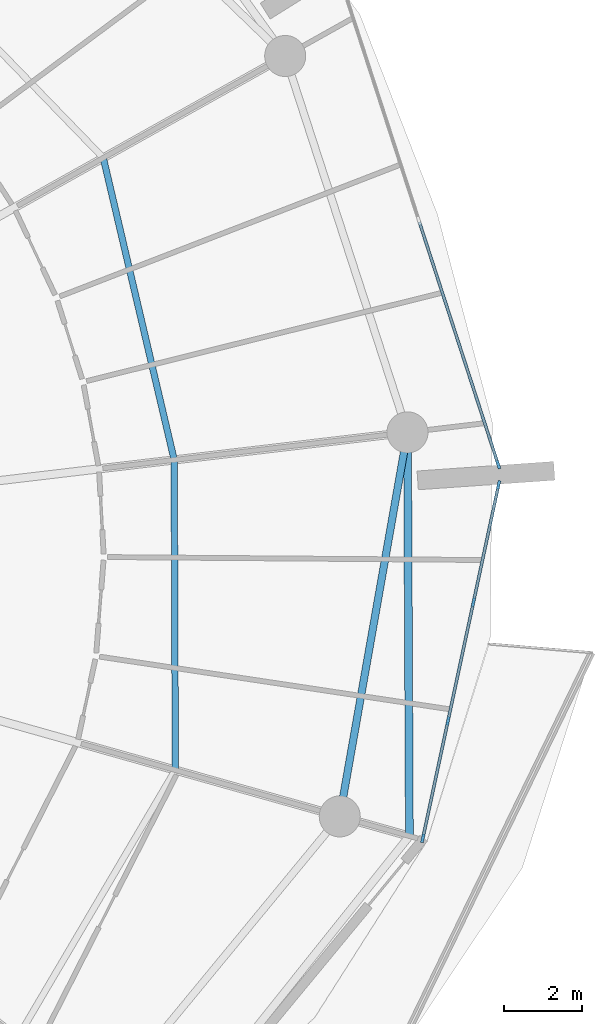
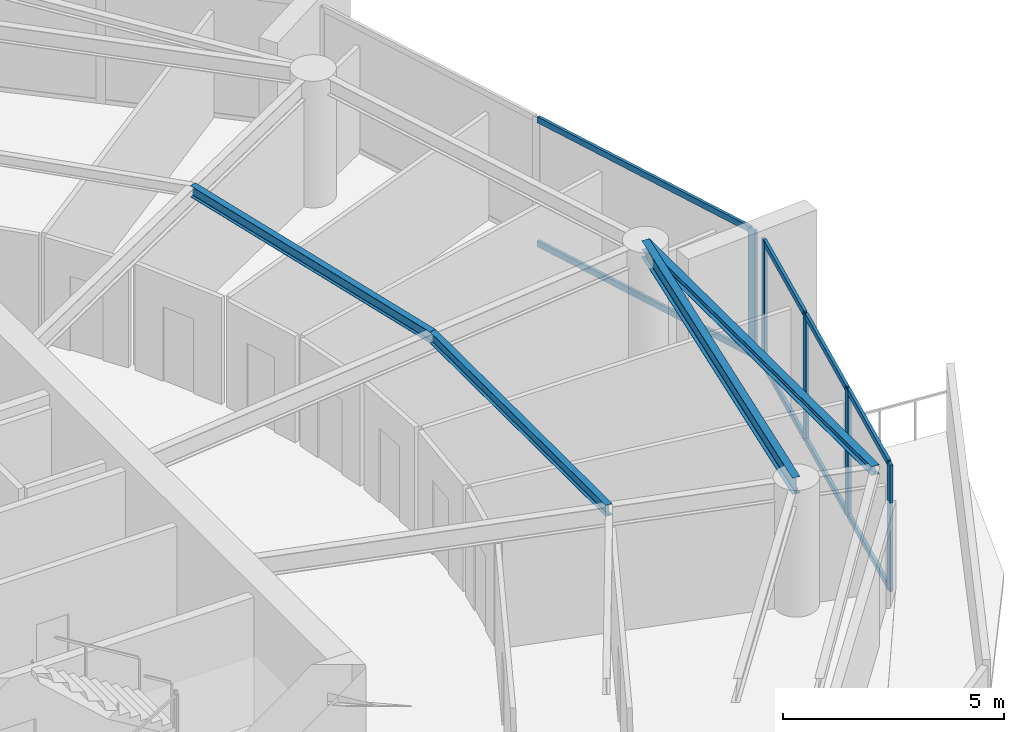
# One storey, part 7 of 20: 13 members, 4 beams, 2 elements without a shape of their own.
"""IFC4 building model written with IfcOpenShell, lengths in metres."""

from ifc_helpers import new_model, si_unit, direction, frame, origin, origin_2d, place, context, subcontext, project, spatial, rectangle, i_section, extrude, material, layer, layer_set, material_profile, profile_set, type_object, element, aggregate, save


model = new_model("IFC4")

# Units and contexts
model_context = context("Model", 3, precision=1e-05, world=origin(), true_north=direction((0.0, 1.0)))
body_context = subcontext(model_context, "Body", "Model", "MODEL_VIEW")
ifc_project = project(units=[si_unit("LENGTHUNIT", "METRE"), si_unit("AREAUNIT", "SQUARE_METRE"), si_unit("VOLUMEUNIT", "CUBIC_METRE"), si_unit("PLANEANGLEUNIT", "RADIAN"), si_unit("MASSUNIT", "GRAM", prefix="KILO")], contexts=[model_context])

# Site, building, storey
site_placement = place(None, origin())
site = spatial("IfcSite", under=ifc_project, at=site_placement, CompositionType="ELEMENT")
building_placement = place(site_placement, origin())
building = spatial("IfcBuilding", under=site, at=building_placement, Name="Kazma Halo Residences", CompositionType="ELEMENT")
storey_placement = place(building_placement, frame((0.0, 0.0, 210.300048828125)))
storey = spatial("IfcBuildingStorey", under=building, at=storey_placement, Name="L53", CompositionType="ELEMENT", Elevation=210.300048828125)

# Beams
ifc_material_1 = material(Name="Steel S355", Category="steel")
ifc_material_profile_1 = material_profile(ifc_material_1, i_section(OverallWidth=0.201904296875, OverallDepth=0.2470703125, WebThickness=0.00732421875, FlangeThickness=0.010986328125, FilletRadius=0.011962890625, at=origin_2d()), Name="W250x49.1")
ifc_profile_set_1 = profile_set([ifc_material_profile_1], Name="Steel S355")
beam_type_1 = type_object("IfcBeamType", Name="BM-BAL-CANT", PredefinedType="BEAM", material=ifc_profile_set_1)
beam_1_placement = place(storey_placement, frame((73.80029296875, 34.723388671875, 3.37646484375), z_axis=(-0.004705663334, 0.999988928305, 0.0), x_axis=(-0.999988928305, -0.004705663334, 0.0)))
element("IfcBeam", 1, at=beam_1_placement, inside=storey, type_object=beam_type_1, Name="L53 wave-balcony tie beam 15", PredefinedType="BEAM", context=body_context, shape_type="SweptSolid", body=[
    extrude(i_section(OverallWidth=0.201904296875, OverallDepth=0.2470703125, WebThickness=0.00732421875, FlangeThickness=0.010986328125, FilletRadius=0.011962890625, at=origin_2d()), origin(), (0.0, 0.0, 1.0), 10.324462890625),
])
ifc_material_profile_2 = material_profile(ifc_material_1, i_section(OverallWidth=0.1650390625, OverallDepth=0.31005859375, WebThickness=0.005859375, FlangeThickness=0.009765625, FilletRadius=0.011962890625, at=origin_2d()), Name="W310x38.7")
ifc_profile_set_2 = profile_set([ifc_material_profile_2], Name="Steel S355")
beam_type_2 = type_object("IfcBeamType", Name="BM-SEC-W310B", PredefinedType="JOIST", material=ifc_profile_set_2)
beam_2_placement = place(storey_placement, frame((67.815185546875, 36.41162109375, 3.344970703125), z_axis=(-0.003540400199, 0.999993732764, 0.0), x_axis=(-0.999993732764, -0.003540400199, 0.0)))
element("IfcBeam", 2, at=beam_2_placement, inside=storey, type_object=beam_type_2, Name="L53 circumferential floor joist 15", PredefinedType="JOIST", context=body_context, shape_type="SweptSolid", body=[
    extrude(i_section(OverallWidth=0.1650390625, OverallDepth=0.31005859375, WebThickness=0.005859375, FlangeThickness=0.009765625, FilletRadius=0.011962890625, at=origin_2d()), origin(), (0.0, 0.0, 1.0), 7.93017578125),
])
beam_3_placement = place(storey_placement, frame((67.787109375, 44.341796875, 3.344970703125), z_axis=(-0.228572787048, 0.973526826041, 0.0), x_axis=(-0.973526826041, -0.228572787048, 0.0)))
element("IfcBeam", 3, at=beam_3_placement, inside=storey, type_object=beam_type_2, Name="L53 circumferential floor joist 16", PredefinedType="JOIST", context=body_context, shape_type="SweptSolid", body=[
    extrude(i_section(OverallWidth=0.1650390625, OverallDepth=0.31005859375, WebThickness=0.005859375, FlangeThickness=0.009765625, FilletRadius=0.011962890625, at=origin_2d()), origin(), (0.0, 0.0, 1.0), 7.933837890625),
])
ifc_material_profile_3 = material_profile(ifc_material_1, i_section(OverallWidth=0.18994140625, OverallDepth=0.45703125, WebThickness=0.009033203125, FlangeThickness=0.014404296875, FilletRadius=0.01611328125, at=origin_2d()), Name="W460x74")
ifc_profile_set_3 = profile_set([ifc_material_profile_3], Name="Steel S355")
beam_type_3 = type_object("IfcBeamType", Name="BM-SPN-W460", PredefinedType="BEAM", material=ifc_profile_set_3)
beam_4_placement = place(storey_placement, frame((72.019775390625, 35.2255859375, 3.271484375), z_axis=(0.173648484202, 0.984807698962, 0.0), x_axis=(-0.984807698962, 0.173648484202, 0.0)))
element("IfcBeam", 4, at=beam_4_placement, inside=storey, type_object=beam_type_3, Name="L53 perimeter ring beam 15", PredefinedType="BEAM", context=body_context, shape_type="SweptSolid", body=[
    extrude(i_section(OverallWidth=0.18994140625, OverallDepth=0.45703125, WebThickness=0.009033203125, FlangeThickness=0.014404296875, FilletRadius=0.01611328125, at=origin_2d()), origin(), (0.0, 0.0, 1.0), 9.973876953125),
])

# Curtain wall, members
ifc_material_2 = material(Name="Aluminium AW-6063 T6 and Triple-Silver Low-E Glass", Category="aluminium")
ifc_layer = layer(ifc_material_2, 0.219970703125)
ifc_layer_set = layer_set([ifc_layer], Name="Aluminium AW-6063 T6 and Triple-Silver Low-E Glass")
curtain_wall_type = type_object("IfcCurtainWallType", Name="CW-SYS-4", PredefinedType="NOTDEFINED", material=ifc_layer_set)
curtain_wall_1_placement = place(storey_placement, origin())
curtain_wall_1 = element("IfcCurtainWall", 5, at=curtain_wall_1_placement, inside=storey, type_object=curtain_wall_type, Name="L53 unitised curtain wall B15", PredefinedType="NOTDEFINED")
ifc_material_3 = material(Name="Aluminium AW-6063 T6", Category="aluminium")
ifc_material_profile_4 = material_profile(ifc_material_3, rectangle(XDim=0.074951171875, YDim=0.219970703125, at=origin_2d()), Name="CWM-75x220")
ifc_profile_set_4 = profile_set([ifc_material_profile_4], Name="Aluminium AW-6063 T6")
member_type_1 = type_object("IfcMemberType", Name="CW-SYS-4-MUL", PredefinedType="MULLION", material=ifc_profile_set_4)
member_1_placement = place(storey_placement, frame((74.1435546875, 34.665771484375, 0.0), z_axis=(0.0, 0.0, 1.0), x_axis=(-0.977768017212, 0.209689543175, 0.0)))
member_1 = element("IfcMember", 6, at=member_1_placement, type_object=member_type_1, Name="CWS-4 mullion 1", PredefinedType="MULLION", context=body_context, shape_type="SweptSolid", body=[
    extrude(rectangle(XDim=0.074951171875, YDim=0.219970703125, at=origin_2d()), origin(), (0.0, 0.0, 1.0), 3.5),
])
member_2_placement = place(storey_placement, frame((74.787109375, 37.6669921875, 0.0), z_axis=(0.0, 0.0, 1.0), x_axis=(-0.977768017212, 0.209689543175, 0.0)))
member_2 = element("IfcMember", 7, at=member_2_placement, type_object=member_type_1, Name="CWS-4 mullion 2", PredefinedType="MULLION", context=body_context, shape_type="SweptSolid", body=[
    extrude(rectangle(XDim=0.074951171875, YDim=0.219970703125, at=origin_2d()), origin(), (0.0, 0.0, 1.0), 3.5),
])
member_3_placement = place(storey_placement, frame((75.438720703125, 40.704833984375, 0.0), z_axis=(0.0, 0.0, 1.0), x_axis=(-0.977768017212, 0.209689543175, 0.0)))
member_3 = element("IfcMember", 8, at=member_3_placement, type_object=member_type_1, Name="CWS-4 mullion 3", PredefinedType="MULLION", context=body_context, shape_type="SweptSolid", body=[
    extrude(rectangle(XDim=0.074951171875, YDim=0.219970703125, at=origin_2d()), origin(), (0.0, 0.0, 1.0), 3.5),
])
member_4_placement = place(storey_placement, frame((76.082275390625, 43.7060546875, 0.0), z_axis=(0.0, 0.0, 1.0), x_axis=(-0.977768017212, 0.209689543175, 0.0)))
member_4 = element("IfcMember", 9, at=member_4_placement, type_object=member_type_1, Name="CWS-4 mullion 4", PredefinedType="MULLION", context=body_context, shape_type="SweptSolid", body=[
    extrude(rectangle(XDim=0.074951171875, YDim=0.219970703125, at=origin_2d()), origin(), (0.0, 0.0, 1.0), 3.5),
])

# Curtain wall, member
curtain_wall_2_placement = place(storey_placement, origin())
curtain_wall_2 = element("IfcCurtainWall", 10, at=curtain_wall_2_placement, inside=storey, type_object=curtain_wall_type, Name="L53 unitised curtain wall B16", PredefinedType="NOTDEFINED")
member_5_placement = place(storey_placement, frame((76.0712890625, 44.22119140625, 0.0), z_axis=(0.0, 0.0, 1.0), x_axis=(-0.951056893636, -0.309015833038, 0.0)))
member_5 = element("IfcMember", 11, at=member_5_placement, type_object=member_type_1, Name="CWS-4 mullion 1", PredefinedType="MULLION", context=body_context, shape_type="SweptSolid", body=[
    extrude(rectangle(XDim=0.074951171875, YDim=0.219970703125, at=origin_2d()), origin(), (0.0, 0.0, 1.0), 3.5),
])

# Member
ifc_material_profile_5 = material_profile(ifc_material_3, rectangle(XDim=0.074951171875, YDim=0.1650390625, at=origin_2d()), Name="CWT-75x165")
ifc_profile_set_5 = profile_set([ifc_material_profile_5], Name="Aluminium AW-6063 T6")
member_type_2 = type_object("IfcMemberType", Name="CW-SYS-4-TRN", PredefinedType="USERDEFINED", material=ifc_profile_set_5)
member_6_placement = place(storey_placement, frame((74.1513671875, 34.702392578125, 0.037353515625), z_axis=(0.209707268418, 0.977764215735, 0.0), x_axis=(-0.977764215735, 0.209707268418, 0.0)))
member_6 = element("IfcMember", 12, at=member_6_placement, type_object=member_type_2, Name="CWS-4 transom 1.1", ObjectType="TRANSOM", PredefinedType="USERDEFINED", context=body_context, shape_type="SweptSolid", body=[
    extrude(rectangle(XDim=0.074951171875, YDim=0.1650390625, at=origin_2d()), origin(), (0.0, 0.0, 1.0), 2.994384765625),
])

member_7_placement = place(storey_placement, frame((74.1513671875, 34.702392578125, 3.46240234375), z_axis=(0.209707268418, 0.977764215735, 0.0), x_axis=(-0.977764215735, 0.209707268418, 0.0)))
member_7 = element("IfcMember", 13, at=member_7_placement, type_object=member_type_2, Name="CWS-4 transom 1.2", ObjectType="TRANSOM", PredefinedType="USERDEFINED", context=body_context, shape_type="SweptSolid", body=[
    extrude(rectangle(XDim=0.074951171875, YDim=0.1650390625, at=origin_2d()), origin(), (0.0, 0.0, 1.0), 2.994384765625),
])

member_8_placement = place(storey_placement, frame((74.794921875, 37.70361328125, 0.037353515625), z_axis=(0.209677559804, 0.977770587057, 0.0), x_axis=(-0.977770587057, 0.209677559804, 0.0)))
member_8 = element("IfcMember", 14, at=member_8_placement, type_object=member_type_2, Name="CWS-4 transom 2.1", ObjectType="TRANSOM", PredefinedType="USERDEFINED", context=body_context, shape_type="SweptSolid", body=[
    extrude(rectangle(XDim=0.074951171875, YDim=0.1650390625, at=origin_2d()), origin(), (0.0, 0.0, 1.0), 3.031982421875),
])

member_9_placement = place(storey_placement, frame((74.794921875, 37.70361328125, 3.46240234375), z_axis=(0.209677559804, 0.977770587057, 0.0), x_axis=(-0.977770587057, 0.209677559804, 0.0)))
member_9 = element("IfcMember", 15, at=member_9_placement, type_object=member_type_2, Name="CWS-4 transom 2.2", ObjectType="TRANSOM", PredefinedType="USERDEFINED", context=body_context, shape_type="SweptSolid", body=[
    extrude(rectangle(XDim=0.074951171875, YDim=0.1650390625, at=origin_2d()), origin(), (0.0, 0.0, 1.0), 3.031982421875),
])

member_10_placement = place(storey_placement, frame((75.446533203125, 40.741455078125, 0.037353515625), z_axis=(0.209690551496, 0.97776780097, 0.0), x_axis=(-0.97776780097, 0.209690551496, 0.0)))
member_10 = element("IfcMember", 16, at=member_10_placement, type_object=member_type_2, Name="CWS-4 transom 3.1", ObjectType="TRANSOM", PredefinedType="USERDEFINED", context=body_context, shape_type="SweptSolid", body=[
    extrude(rectangle(XDim=0.074951171875, YDim=0.1650390625, at=origin_2d()), origin(), (0.0, 0.0, 1.0), 2.99462890625),
])

member_11_placement = place(storey_placement, frame((75.446533203125, 40.741455078125, 3.46240234375), z_axis=(0.209690551496, 0.97776780097, 0.0), x_axis=(-0.97776780097, 0.209690551496, 0.0)))
member_11 = element("IfcMember", 17, at=member_11_placement, type_object=member_type_2, Name="CWS-4 transom 3.2", ObjectType="TRANSOM", PredefinedType="USERDEFINED", context=body_context, shape_type="SweptSolid", body=[
    extrude(rectangle(XDim=0.074951171875, YDim=0.1650390625, at=origin_2d()), origin(), (0.0, 0.0, 1.0), 2.99462890625),
])

aggregate(curtain_wall_1, [member_1, member_2, member_3, member_4, member_6, member_7, member_8, member_9, member_10, member_11])

member_12_placement = place(storey_placement, frame((76.0595703125, 44.2568359375, 0.037353515625), z_axis=(-0.30902650142, 0.951053427217, 0.0), x_axis=(-0.951053427217, -0.30902650142, 0.0)))
member_12 = element("IfcMember", 18, at=member_12_placement, type_object=member_type_2, Name="CWS-4 transom 1.1", ObjectType="TRANSOM", PredefinedType="USERDEFINED", context=body_context, shape_type="SweptSolid", body=[
    extrude(rectangle(XDim=0.074951171875, YDim=0.1650390625, at=origin_2d()), origin(), (0.0, 0.0, 1.0), 6.487060546875),
])

member_13_placement = place(storey_placement, frame((76.0595703125, 44.2568359375, 3.46240234375), z_axis=(-0.30902650142, 0.951053427217, 0.0), x_axis=(-0.951053427217, -0.30902650142, 0.0)))
member_13 = element("IfcMember", 19, at=member_13_placement, type_object=member_type_2, Name="CWS-4 transom 1.2", ObjectType="TRANSOM", PredefinedType="USERDEFINED", context=body_context, shape_type="SweptSolid", body=[
    extrude(rectangle(XDim=0.074951171875, YDim=0.1650390625, at=origin_2d()), origin(), (0.0, 0.0, 1.0), 6.487060546875),
])

aggregate(curtain_wall_2, [member_5, member_12, member_13])

save(model, "model.ifc")
